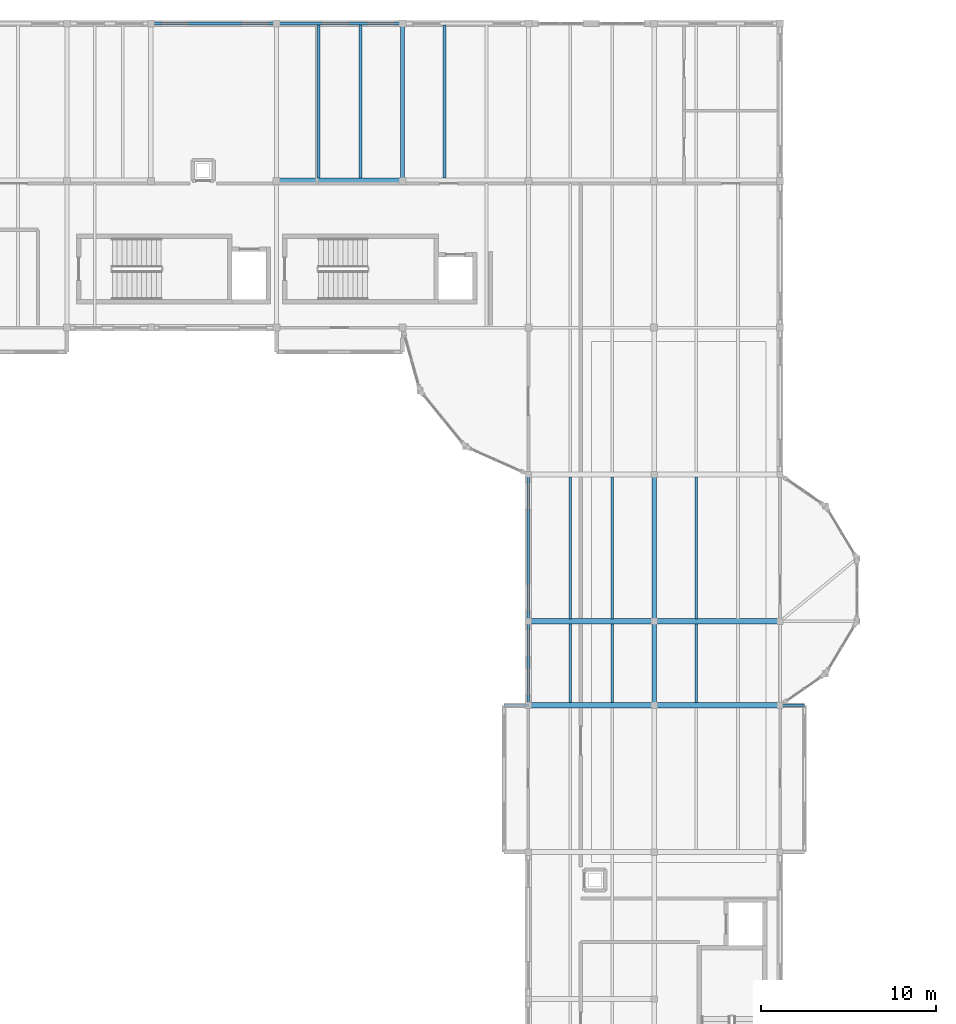
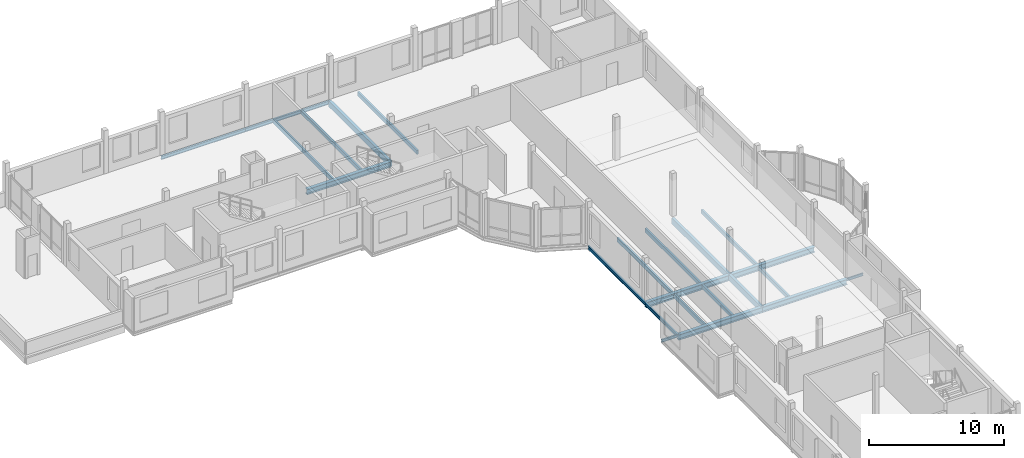
# One storey, part 16 of 34: 23 beams.
"""IFC4 building model written with IfcOpenShell, lengths in metres."""

from ifc_helpers import new_model, si_unit, direction, frame, origin, origin_2d, place, context, subcontext, project, spatial, rectangle, i_section, extrude, material, material_profile, profile_set, type_object, element, save


model = new_model("IFC4")

# Units and contexts
model_context = context("Model", 3, precision=1e-05, world=origin(), true_north=direction((0.0, 1.0)))
body_context = subcontext(model_context, "Body", "Model", "MODEL_VIEW")
ifc_project = project(units=[si_unit("LENGTHUNIT", "METRE"), si_unit("AREAUNIT", "SQUARE_METRE"), si_unit("VOLUMEUNIT", "CUBIC_METRE"), si_unit("PLANEANGLEUNIT", "RADIAN"), si_unit("MASSUNIT", "GRAM", prefix="KILO")], contexts=[model_context])

# Site, building, storey
site_placement = place(None, origin())
site = spatial("IfcSite", under=ifc_project, at=site_placement, CompositionType="ELEMENT")
building_placement = place(site_placement, origin())
building = spatial("IfcBuilding", under=site, at=building_placement, Name="Kahlenmark Community Centre", CompositionType="ELEMENT")
storey_placement = place(building_placement, frame((0.0, 0.0, 17.699951171875)))
storey = spatial("IfcBuildingStorey", under=building, at=storey_placement, Name="L04", CompositionType="ELEMENT", Elevation=17.699951171875)

# Beams
ifc_material_1 = material(Name="Glulam GL32h", Category="wood")
ifc_material_profile_1 = material_profile(ifc_material_1, rectangle(XDim=0.239990234375, YDim=0.52001953125, at=origin_2d()), Name="GL32h 240x520")
ifc_profile_set_1 = profile_set([ifc_material_profile_1], Name="Glulam GL32h")
beam_type_1 = type_object("IfcBeamType", Name="BT-BEAM-GL32h240x520", PredefinedType="BEAM", material=ifc_profile_set_1)
beam_1_placement = place(storey_placement, frame((65.199951171875, 106.0, -0.47998046875), z_axis=(0.0, 1.0, 0.0), x_axis=(-1.0, 0.0, 0.0)))
element("IfcBeam", 1, at=beam_1_placement, inside=storey, type_object=beam_type_1, Name="L04 beam BG-GL32h240x520", PredefinedType="BEAM", context=body_context, shape_type="SweptSolid", body=[
    extrude(rectangle(XDim=0.239990234375, YDim=0.52001953125, at=origin_2d()), origin(), (0.0, 0.0, 1.0), 9.0),
])
beam_2_placement = place(storey_placement, frame((79.60009765625, 76.0, -0.4599609375), z_axis=(0.0, 1.0, 0.0), x_axis=(-1.0, 0.0, 0.0)))
element("IfcBeam", 2, at=beam_2_placement, inside=storey, type_object=beam_type_1, Name="L04 beam BG-GL32h240x520", PredefinedType="BEAM", context=body_context, shape_type="SweptSolid", body=[
    extrude(rectangle(XDim=0.239990234375, YDim=0.52001953125, at=origin_2d()), origin(), (0.0, 0.0, 1.0), 4.800048828125),
])
beam_3_placement = place(storey_placement, frame((79.60009765625, 80.800048828125, -0.4599609375), z_axis=(0.0, 1.0, 0.0), x_axis=(-1.0, 0.0, 0.0)))
element("IfcBeam", 3, at=beam_3_placement, inside=storey, type_object=beam_type_1, Name="L04 beam BG-GL32h240x520", PredefinedType="BEAM", context=body_context, shape_type="SweptSolid", body=[
    extrude(rectangle(XDim=0.239990234375, YDim=0.52001953125, at=origin_2d()), origin(), (0.0, 0.0, 1.0), 8.39990234375),
])
ifc_material_2 = material(Name="Steel S355", Category="steel")
ifc_material_profile_2 = material_profile(ifc_material_2, i_section(OverallWidth=0.300048828125, OverallDepth=0.489990234375, WebThickness=0.011962890625, FlangeThickness=0.02294921875, at=origin_2d()), Name="HEA 500")
ifc_profile_set_2 = profile_set([ifc_material_profile_2], Name="Steel S355")
beam_type_2 = type_object("IfcBeamType", Name="BT-BEAM-HEA500", PredefinedType="BEAM", material=ifc_profile_set_2)
beam_4_placement = place(storey_placement, frame((58.0, 106.0, -0.46484375), z_axis=(1.0, 0.0, 0.0), x_axis=(0.0, 1.0, 0.0)))
element("IfcBeam", 4, at=beam_4_placement, inside=storey, type_object=beam_type_2, Name="L04 beam BG-HEA500", PredefinedType="BEAM", context=body_context, shape_type="SweptSolid", body=[
    extrude(i_section(OverallWidth=0.300048828125, OverallDepth=0.489990234375, WebThickness=0.011962890625, FlangeThickness=0.02294921875, at=origin_2d()), origin(), (0.0, 0.0, 1.0), 7.199951171875),
])
beam_5_placement = place(storey_placement, frame((72.39990234375, 76.0, -0.445068359375), z_axis=(1.0, 0.0, 0.0), x_axis=(0.0, 1.0, 0.0)))
element("IfcBeam", 5, at=beam_5_placement, inside=storey, type_object=beam_type_2, Name="L04 beam BG-HEA500", PredefinedType="BEAM", context=body_context, shape_type="SweptSolid", body=[
    extrude(i_section(OverallWidth=0.300048828125, OverallDepth=0.489990234375, WebThickness=0.011962890625, FlangeThickness=0.02294921875, at=origin_2d()), origin(), (0.0, 0.0, 1.0), 7.2001953125),
])
beam_6_placement = place(storey_placement, frame((79.60009765625, 76.0, -0.445068359375), z_axis=(1.0, 0.0, 0.0), x_axis=(0.0, 1.0, 0.0)))
element("IfcBeam", 6, at=beam_6_placement, inside=storey, type_object=beam_type_2, Name="L04 beam BG-HEA500", PredefinedType="BEAM", context=body_context, shape_type="SweptSolid", body=[
    extrude(i_section(OverallWidth=0.300048828125, OverallDepth=0.489990234375, WebThickness=0.011962890625, FlangeThickness=0.02294921875, at=origin_2d()), origin(), (0.0, 0.0, 1.0), 7.199951171875),
])
beam_7_placement = place(storey_placement, frame((72.39990234375, 80.800048828125, -0.445068359375), z_axis=(1.0, 0.0, 0.0), x_axis=(0.0, 1.0, 0.0)))
element("IfcBeam", 7, at=beam_7_placement, inside=storey, type_object=beam_type_2, Name="L04 beam BG-HEA500", PredefinedType="BEAM", context=body_context, shape_type="SweptSolid", body=[
    extrude(i_section(OverallWidth=0.300048828125, OverallDepth=0.489990234375, WebThickness=0.011962890625, FlangeThickness=0.02294921875, at=origin_2d()), origin(), (0.0, 0.0, 1.0), 7.2001953125),
])
beam_8_placement = place(storey_placement, frame((79.60009765625, 80.800048828125, -0.445068359375), z_axis=(1.0, 0.0, 0.0), x_axis=(0.0, 1.0, 0.0)))
element("IfcBeam", 8, at=beam_8_placement, inside=storey, type_object=beam_type_2, Name="L04 beam BG-HEA500", PredefinedType="BEAM", context=body_context, shape_type="SweptSolid", body=[
    extrude(i_section(OverallWidth=0.300048828125, OverallDepth=0.489990234375, WebThickness=0.011962890625, FlangeThickness=0.02294921875, at=origin_2d()), origin(), (0.0, 0.0, 1.0), 7.199951171875),
])
ifc_material_profile_3 = material_profile(ifc_material_2, i_section(OverallWidth=0.1201171875, OverallDepth=0.239990234375, WebThickness=0.006103515625, FlangeThickness=0.009765625, at=origin_2d()), Name="IPE 240")
ifc_profile_set_3 = profile_set([ifc_material_profile_3], Name="Steel S355")
beam_type_3 = type_object("IfcBeamType", Name="BT-BEAM-IPE240", PredefinedType="BEAM", material=ifc_profile_set_3)
for number, where, z_axis, x_axis, name in (
    (9, (86.800048828125, 76.0, -0.320068359375), (1.0, 0.0, 0.0), (0.0, 1.0, 0.0), "L04 beam BG-IPE240"),
    (10, (71.0, 76.0, -0.320068359375), (1.0, 0.0, 0.0), (0.0, 1.0, 0.0), "L04 beam BG-IPE240"),
):
    element("IfcBeam", number, at=place(storey_placement, frame(where, z_axis=z_axis, x_axis=x_axis)), inside=storey, type_object=beam_type_3, Name=name, PredefinedType="BEAM", context=body_context, shape_type="SweptSolid", body=[
        extrude(i_section(OverallWidth=0.1201171875, OverallDepth=0.239990234375, WebThickness=0.006103515625, FlangeThickness=0.009765625, at=origin_2d()), origin(), (0.0, 0.0, 1.0), 1.39990234375),
    ])
ifc_material_3 = material(Name="Glulam GL28h", Category="wood")
ifc_material_profile_4 = material_profile(ifc_material_3, rectangle(XDim=0.159912109375, YDim=0.360107421875, at=origin_2d()), Name="GL28h 160x360")
ifc_profile_set_4 = profile_set([ifc_material_profile_4], Name="Glulam GL28h")
beam_type_4 = type_object("IfcBeamType", Name="BT-JOIST-GL28h160x360", PredefinedType="JOIST", material=ifc_profile_set_4)
for number, where, z_axis, x_axis, name in (
    (11, (60.39990234375, 106.14794921875, -0.39990234375), (0.0, 1.0, 0.0), (-1.0, 0.0, 0.0), "L04 joist BJ-GL28h160x360"),
    (12, (62.800048828125, 106.14794921875, -0.39990234375), (0.0, 1.0, 0.0), (-1.0, 0.0, 0.0), "L04 joist BJ-GL28h160x360"),
    (13, (67.60009765625, 106.14794921875, -0.39990234375), (0.0, 1.0, 0.0), (-1.0, 0.0, 0.0), "L04 joist BJ-GL28h160x360"),
):
    element("IfcBeam", number, at=place(storey_placement, frame(where, z_axis=z_axis, x_axis=x_axis)), inside=storey, type_object=beam_type_4, Name=name, PredefinedType="JOIST", context=body_context, shape_type="SweptSolid", body=[
        extrude(rectangle(XDim=0.159912109375, YDim=0.360107421875, at=origin_2d()), origin(), (0.0, 0.0, 1.0), 8.779052734375),
    ])
for number, where, z_axis, x_axis, name in (
    (14, (74.800048828125, 76.14794921875, -0.3798828125), (0.0, 1.0, 0.0), (-1.0, 0.0, 0.0), "L04 joist BJ-GL28h160x360"),
    (15, (77.199951171875, 76.14794921875, -0.3798828125), (0.0, 1.0, 0.0), (-1.0, 0.0, 0.0), "L04 joist BJ-GL28h160x360"),
):
    element("IfcBeam", number, at=place(storey_placement, frame(where, z_axis=z_axis, x_axis=x_axis)), inside=storey, type_object=beam_type_4, Name=name, PredefinedType="JOIST", context=body_context, shape_type="SweptSolid", body=[
        extrude(rectangle(XDim=0.159912109375, YDim=0.360107421875, at=origin_2d()), origin(), (0.0, 0.0, 1.0), 4.504150390625),
    ])
for number, where, z_axis, x_axis, name in (
    (16, (74.800048828125, 80.947998046875, -0.3798828125), (0.0, 1.0, 0.0), (-1.0, 0.0, 0.0), "L04 joist BJ-GL28h160x360"),
    (17, (77.199951171875, 80.947998046875, -0.3798828125), (0.0, 1.0, 0.0), (-1.0, 0.0, 0.0), "L04 joist BJ-GL28h160x360"),
):
    element("IfcBeam", number, at=place(storey_placement, frame(where, z_axis=z_axis, x_axis=x_axis)), inside=storey, type_object=beam_type_4, Name=name, PredefinedType="JOIST", context=body_context, shape_type="SweptSolid", body=[
        extrude(rectangle(XDim=0.159912109375, YDim=0.360107421875, at=origin_2d()), origin(), (0.0, 0.0, 1.0), 8.10400390625),
    ])
beam_9_placement = place(storey_placement, frame((82.0, 76.14794921875, -0.3798828125), z_axis=(0.0, 1.0, 0.0), x_axis=(-1.0, 0.0, 0.0)))
element("IfcBeam", 18, at=beam_9_placement, inside=storey, type_object=beam_type_4, Name="L04 joist BJ-GL28h160x360", PredefinedType="JOIST", context=body_context, shape_type="SweptSolid", body=[
    extrude(rectangle(XDim=0.159912109375, YDim=0.360107421875, at=origin_2d()), origin(), (0.0, 0.0, 1.0), 4.504150390625),
])
beam_10_placement = place(storey_placement, frame((82.0, 80.947998046875, -0.3798828125), z_axis=(0.0, 1.0, 0.0), x_axis=(-1.0, 0.0, 0.0)))
element("IfcBeam", 19, at=beam_10_placement, inside=storey, type_object=beam_type_4, Name="L04 joist BJ-GL28h160x360", PredefinedType="JOIST", context=body_context, shape_type="SweptSolid", body=[
    extrude(rectangle(XDim=0.159912109375, YDim=0.360107421875, at=origin_2d()), origin(), (0.0, 0.0, 1.0), 8.10400390625),
])
ifc_material_profile_5 = material_profile(ifc_material_2, i_section(OverallWidth=0.14990234375, OverallDepth=0.300048828125, WebThickness=0.007080078125, FlangeThickness=0.0107421875, at=origin_2d()), Name="IPE 300")
ifc_profile_set_5 = profile_set([ifc_material_profile_5], Name="Steel S355")
beam_type_5 = type_object("IfcBeamType", Name="BT-SPANDREL-IPE300", PredefinedType="SPANDREL", material=ifc_profile_set_5)
for number, where, z_axis, x_axis, name in (
    (20, (50.800048828125, 115.0, -0.369873046875), (1.0, 0.0, 0.0), (0.0, 1.0, 0.0), "L04 spandrel SP-IPE300"),
    (21, (58.0, 115.0, -0.369873046875), (1.0, 0.0, 0.0), (0.0, 1.0, 0.0), "L04 spandrel SP-IPE300"),
):
    element("IfcBeam", number, at=place(storey_placement, frame(where, z_axis=z_axis, x_axis=x_axis)), inside=storey, type_object=beam_type_5, Name=name, PredefinedType="SPANDREL", context=body_context, shape_type="SweptSolid", body=[
        extrude(i_section(OverallWidth=0.14990234375, OverallDepth=0.300048828125, WebThickness=0.007080078125, FlangeThickness=0.0107421875, at=origin_2d()), origin(), (0.0, 0.0, 1.0), 7.199951171875),
    ])
beam_11_placement = place(storey_placement, frame((72.39990234375, 76.0, -0.349853515625), z_axis=(0.0, 1.0, 0.0), x_axis=(-1.0, 0.0, 0.0)))
element("IfcBeam", 22, at=beam_11_placement, inside=storey, type_object=beam_type_5, Name="L04 spandrel SP-IPE300", PredefinedType="SPANDREL", context=body_context, shape_type="SweptSolid", body=[
    extrude(i_section(OverallWidth=0.14990234375, OverallDepth=0.300048828125, WebThickness=0.007080078125, FlangeThickness=0.0107421875, at=origin_2d()), origin(), (0.0, 0.0, 1.0), 4.800048828125),
])
beam_12_placement = place(storey_placement, frame((72.39990234375, 80.800048828125, -0.349853515625), z_axis=(0.0, 1.0, 0.0), x_axis=(-1.0, 0.0, 0.0)))
element("IfcBeam", 23, at=beam_12_placement, inside=storey, type_object=beam_type_5, Name="L04 spandrel SP-IPE300", PredefinedType="SPANDREL", context=body_context, shape_type="SweptSolid", body=[
    extrude(i_section(OverallWidth=0.14990234375, OverallDepth=0.300048828125, WebThickness=0.007080078125, FlangeThickness=0.0107421875, at=origin_2d()), origin(), (0.0, 0.0, 1.0), 8.39990234375),
])

save(model, "model.ifc")
